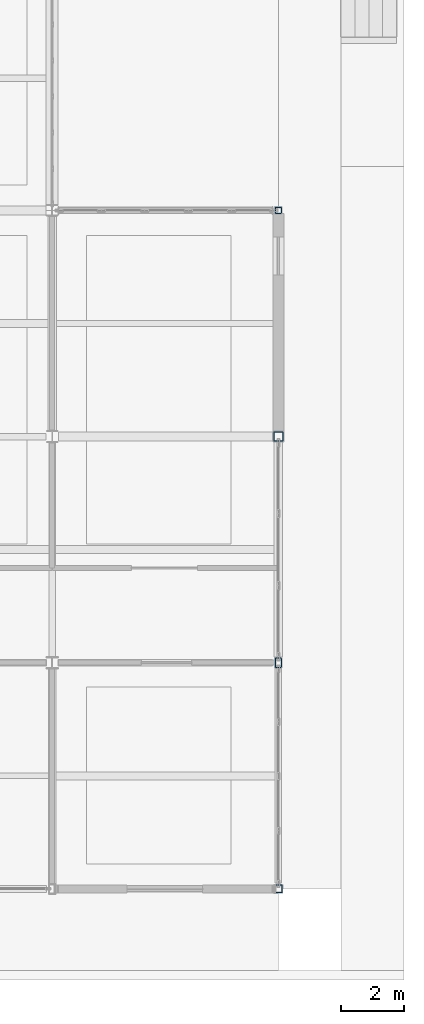
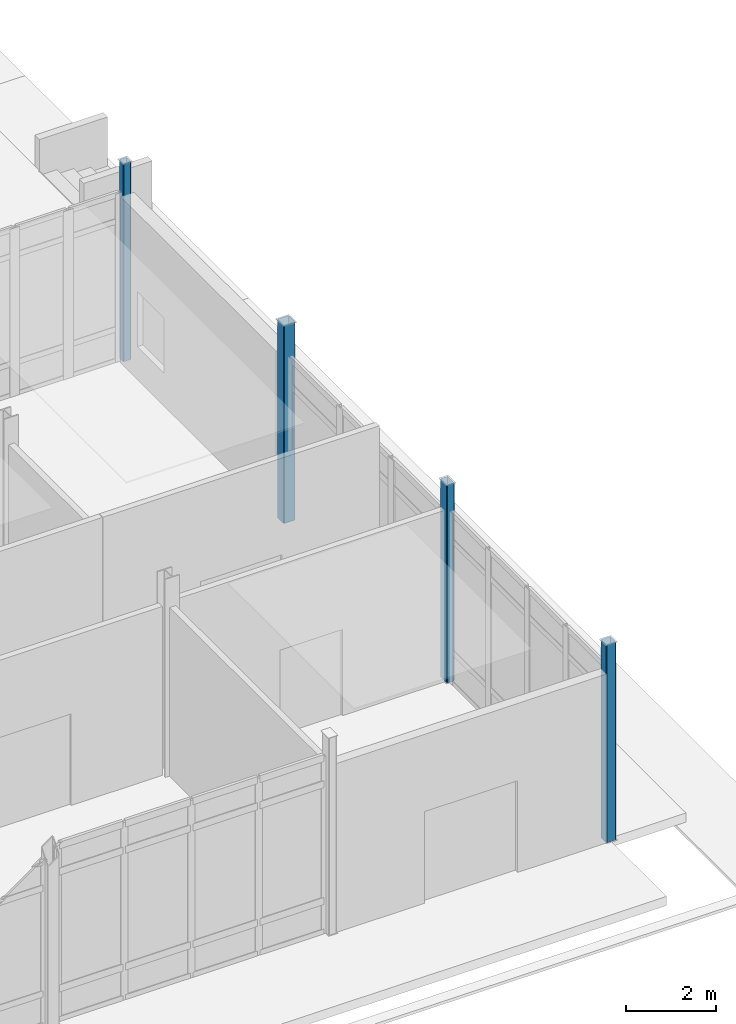
# One storey, part 20 of 229: 4 columns.
"""IFC4 building model written with IfcOpenShell, lengths in metres."""

import ifcopenshell
import ifcopenshell.guid

model = None  # the IFC model being written
_history = None  # IfcOwnerHistory: only IFC2X3 demands one
_inside = {}  # id of a spatial element -> (the spatial element, [elements in it])
_under = {}  # id of a project, library or spatial element -> (it, [spatial elements below it])
_declared = {}  # id of a project -> (the project, [libraries it declares])
_typed = {}  # id of a type object -> (the type object, [elements of that type])
_made_of = {}  # id of a material, layer set ... -> (it, [elements and type objects made of it])


def new_model(schema):
    """Start an empty IFC model of exactly this schema.

    Asked for "IFC4X3", IfcOpenShell would pick the latest addendum, in which some entities
    have other attributes; the version numbers below select the first issue.
    IFC2X3 requires an IfcOwnerHistory on every rooted entity: one is made here for all.
    """
    global model, _history
    if schema == "IFC4X3":
        model = ifcopenshell.file(schema_version=(4, 3, 0, 0))
    else:
        model = ifcopenshell.file(schema=schema)
    _inside.clear()
    _under.clear()
    _declared.clear()
    _typed.clear()
    _made_of.clear()
    _history = None
    if model.schema == "IFC2X3":
        org = make("IfcOrganization", Name="unknown")
        user = make(
            "IfcPersonAndOrganization",
            ThePerson=make("IfcPerson", FamilyName="unknown"),
            TheOrganization=org,
        )
        app = make(
            "IfcApplication",
            ApplicationDeveloper=org,
            Version="unknown",
            ApplicationFullName="unknown",
            ApplicationIdentifier="unknown",
        )
        _history = make(
            "IfcOwnerHistory",
            OwningUser=user,
            OwningApplication=app,
            ChangeAction="ADDED",
            CreationDate=0,
        )
    return model


def make(cls, **values):
    """One entity of the class cls with the attributes given. An attribute that is None is left unset."""
    return model.create_entity(
        cls, **{name: value for name, value in values.items() if value is not None}
    )


def rooted(cls, **values):
    """An entity with a GlobalId (a new one), such as an element, a storey or a relation."""
    return make(cls, GlobalId=ifcopenshell.guid.new(), OwnerHistory=_history, **values)


def si_unit(unit_type, name, prefix=None):
    """IfcSIUnit, for example si_unit("LENGTHUNIT", "METRE", prefix="MILLI")."""
    return make("IfcSIUnit", UnitType=unit_type, Prefix=prefix, Name=name)


def assignment(units):
    """IfcUnitAssignment: the units of a project."""
    return None if units is None else make("IfcUnitAssignment", Units=units)


def point(xyz):
    """IfcCartesianPoint."""
    return None if xyz is None else make("IfcCartesianPoint", Coordinates=xyz)


def direction(xyz):
    """IfcDirection."""
    return None if xyz is None else make("IfcDirection", DirectionRatios=xyz)


def frame(location, z_axis=None, x_axis=None):
    """IfcAxis2Placement3D, a coordinate frame: its origin and axes. An axis left out is left unset."""
    return make(
        "IfcAxis2Placement3D",
        Location=point(location),
        Axis=direction(z_axis),
        RefDirection=direction(x_axis),
    )


def frame_2d(location, x_axis=None):
    """IfcAxis2Placement2D, a coordinate frame in the plane: its origin and x axis."""
    return make(
        "IfcAxis2Placement2D", Location=point(location), RefDirection=direction(x_axis)
    )


def origin():
    """The frame at (0, 0, 0) with its axes left unset."""
    return frame((0.0, 0.0, 0.0))


def origin_2d():
    """The frame at (0, 0) in the plane with its x axis left unset."""
    return frame_2d((0.0, 0.0))


def place(relative_to, where):
    """IfcLocalPlacement: puts the frame where relative to a parent placement (None: the world)."""
    return make(
        "IfcLocalPlacement", PlacementRelTo=relative_to, RelativePlacement=where
    )


def context(
    kind, dimensions, precision=None, world=None, true_north=None, identifier=None
):
    """IfcGeometricRepresentationContext, for example the 3D "Model" context."""
    return make(
        "IfcGeometricRepresentationContext",
        ContextIdentifier=identifier,
        ContextType=kind,
        CoordinateSpaceDimension=dimensions,
        Precision=precision,
        WorldCoordinateSystem=world,
        TrueNorth=true_north,
    )


def subcontext(parent, identifier, kind, view, scale=None):
    """IfcGeometricRepresentationSubContext, for example "Body" below "Model"."""
    return make(
        "IfcGeometricRepresentationSubContext",
        ContextIdentifier=identifier,
        ContextType=kind,
        ParentContext=parent,
        TargetScale=scale,
        TargetView=view,
    )


def project(units=None, contexts=None):
    """IfcProject with its units and contexts."""
    return rooted(
        "IfcProject",
        Name="project",
        RepresentationContexts=contexts,
        UnitsInContext=assignment(units),
    )


def spatial(cls, under=None, at=None, **own):
    """A site, building, storey or space (cls), placed at a placement, below another one or the project."""
    s = rooted(cls, ObjectPlacement=at, **own)
    if under is not None:
        _under.setdefault(under.id(), (under, []))[1].append(s)
    return s


def profile(cls, at=None, kind="AREA", **sizes):
    """A parametric profile (cls). Its sizes go by their IFC names, for example OverallWidth=200.0."""
    return make(cls, ProfileType=kind, Position=at, **sizes)


def hollow_rectangle(**sizes):
    """IfcRectangleHollowProfileDef."""
    return profile("IfcRectangleHollowProfileDef", **sizes)


def extrude(swept, where, along, depth):
    """IfcExtrudedAreaSolid: the profile swept, set in the frame where, extruded along a direction by depth."""
    return make(
        "IfcExtrudedAreaSolid",
        SweptArea=swept,
        Position=where,
        ExtrudedDirection=direction(along),
        Depth=depth,
    )


def shape(context_of_items, identifier, shape_type, items):
    """IfcShapeRepresentation: the items that make up one representation, for example the "Body"."""
    return make(
        "IfcShapeRepresentation",
        ContextOfItems=context_of_items,
        RepresentationIdentifier=identifier,
        RepresentationType=shape_type,
        Items=items,
    )


def material(Name=None, Category=None):
    """IfcMaterial."""
    return make("IfcMaterial", Name=Name, Category=Category)


def material_profile(
    of_material, cross_section, Name=None, Category=None, Priority=None
):
    """IfcMaterialProfile: a cross section and its material."""
    return make(
        "IfcMaterialProfile",
        Name=Name,
        Material=of_material,
        Profile=cross_section,
        Priority=Priority,
        Category=Category,
    )


def profile_set(profiles, Name=None, composite=None):
    """IfcMaterialProfileSet."""
    return make(
        "IfcMaterialProfileSet",
        Name=Name,
        MaterialProfiles=profiles,
        CompositeProfile=composite,
    )


def made_of(thing, what):
    """Note that an element or type object is made of a material, layer set ...; save() writes the relation."""
    if what is not None:
        _made_of.setdefault(what.id(), (what, []))[1].append(thing)
    return thing


def type_object(cls, material=None, **own):
    """A type object (cls), such as IfcWallType, which elements share."""
    return made_of(rooted(cls, **own), material)


def element(
    cls,
    number,
    at=None,
    inside=None,
    cuts=None,
    type_object=None,
    material=None,
    context=None,
    identifier="Body",
    shape_type=None,
    held_by="IfcProductDefinitionShape",
    body=None,
    shapes=None,
    **own,
):
    """One element of the class cls, such as IfcWall. Its Tag is "e" and its number.

    at: its placement. inside: the storey or other place that contains it. cuts: it is an
    opening in that element (IfcRelVoidsElement). A single representation is given by context,
    identifier, shape_type and body (its items); several are given by shapes. held_by: the class
    of the entity that holds the representations. save() writes the other relations.
    """
    e = rooted(cls, Tag="e%d" % number, ObjectPlacement=at, **own)
    if body is not None:
        shapes = [shape(context, identifier, shape_type, body)]
    if shapes is not None:
        e.Representation = make(held_by, Representations=shapes)
    if inside is not None:
        _inside.setdefault(inside.id(), (inside, []))[1].append(e)
    if cuts is not None:
        rooted(
            "IfcRelVoidsElement", RelatingBuildingElement=cuts, RelatedOpeningElement=e
        )
    if type_object is not None:
        _typed.setdefault(type_object.id(), (type_object, []))[1].append(e)
    return made_of(e, material)


def aggregate(whole, parts):
    """IfcRelAggregates: a whole, such as a stair, and the parts it consists of."""
    return rooted("IfcRelAggregates", RelatingObject=whole, RelatedObjects=parts)


def save(model, path):
    """Write the relations noted so far, then the file.

    IfcRelAggregates (storeys below a building ...), IfcRelContainedInSpatialStructure (elements
    in a storey), IfcRelDefinesByType, IfcRelAssociatesMaterial and IfcRelDeclares: one each for
    every whole, place, type object, material and project.
    """
    for whole, parts in _under.values():
        aggregate(whole, parts)
    for where, things in _inside.values():
        rooted(
            "IfcRelContainedInSpatialStructure",
            RelatedElements=things,
            RelatingStructure=where,
        )
    for kind, things in _typed.values():
        rooted("IfcRelDefinesByType", RelatedObjects=things, RelatingType=kind)
    for what, things in _made_of.values():
        rooted("IfcRelAssociatesMaterial", RelatedObjects=things, RelatingMaterial=what)
    for by, libraries in _declared.values():
        rooted("IfcRelDeclares", RelatingContext=by, RelatedDefinitions=libraries)
    model.write(path)


model = new_model("IFC4")

# Units and contexts
model_context = context("Model", 3, precision=1e-05, world=origin(), true_north=direction((0.0, 1.0)))
body_context = subcontext(model_context, "Body", "Model", "MODEL_VIEW")
ifc_project = project(units=[si_unit("LENGTHUNIT", "METRE"), si_unit("AREAUNIT", "SQUARE_METRE"), si_unit("VOLUMEUNIT", "CUBIC_METRE"), si_unit("PLANEANGLEUNIT", "RADIAN"), si_unit("MASSUNIT", "GRAM", prefix="KILO")], contexts=[model_context])

# Site, building, storey
site_placement = place(None, origin())
site = spatial("IfcSite", under=ifc_project, at=site_placement, CompositionType="ELEMENT")
building_placement = place(site_placement, origin())
building = spatial("IfcBuilding", under=site, at=building_placement, Name="Calvrana Isthmian Art Gallery", CompositionType="ELEMENT")
storey_placement = place(building_placement, origin())
storey = spatial("IfcBuildingStorey", under=building, at=storey_placement, Name="L00", CompositionType="ELEMENT", Elevation=0.0)

# Columns
ifc_material = material(Name="Steel ASTM A500 Gr C", Category="steel")
ifc_material_profile_1 = material_profile(ifc_material, hollow_rectangle(XDim=0.203125, YDim=0.203125, WallThickness=0.0126953125, OuterFilletRadius=0.02490234375, at=origin_2d()), Name="HSS203X203X12.7")
ifc_profile_set_1 = profile_set([ifc_material_profile_1], Name="Steel ASTM A500 Gr C")
column_type_1 = type_object("IfcColumnType", Name="COL-STL-HSS203X203X12.7", PredefinedType="COLUMN", material=ifc_profile_set_1)
column_1_placement = place(storey_placement, frame((163.199951171875, 21.60009765625, 0.0), z_axis=(0.0, 0.0, 1.0), x_axis=(1.0, 0.0, 0.0)))
element("IfcColumn", 1, at=column_1_placement, inside=storey, type_object=column_type_1, Name="Column 22/D L00", PredefinedType="COLUMN", context=body_context, shape_type="SweptSolid", body=[
    extrude(hollow_rectangle(XDim=0.203125, YDim=0.203125, WallThickness=0.0126953125, OuterFilletRadius=0.02490234375, at=origin_2d()), origin(), (0.0, 0.0, 1.0), 5.39990234375),
])
ifc_material_profile_2 = material_profile(ifc_material, hollow_rectangle(XDim=0.25390625, YDim=0.25390625, WallThickness=0.0126953125, OuterFilletRadius=0.02490234375, at=origin_2d()), Name="HSS254X254X12.7")
ifc_profile_set_2 = profile_set([ifc_material_profile_2], Name="Steel ASTM A500 Gr C")
column_type_2 = type_object("IfcColumnType", Name="COL-STL-HSS254X254X12.7", PredefinedType="COLUMN", material=ifc_profile_set_2)
column_2_placement = place(storey_placement, frame((163.199951171875, 0.0, 0.0), z_axis=(0.0, 0.0, 1.0), x_axis=(1.0, 0.0, 0.0)))
element("IfcColumn", 2, at=column_2_placement, inside=storey, type_object=column_type_2, Name="Column 22/A L00", PredefinedType="COLUMN", context=body_context, shape_type="SweptSolid", body=[
    extrude(hollow_rectangle(XDim=0.25390625, YDim=0.25390625, WallThickness=0.0126953125, OuterFilletRadius=0.02490234375, at=origin_2d()), origin(), (0.0, 0.0, 1.0), 5.39990234375),
])
ifc_material_profile_3 = material_profile(ifc_material, hollow_rectangle(XDim=0.203125, YDim=0.3046875, WallThickness=0.0126953125, OuterFilletRadius=0.02490234375, at=origin_2d()), Name="HSS305X203X12.7")
ifc_profile_set_3 = profile_set([ifc_material_profile_3], Name="Steel ASTM A500 Gr C")
column_type_3 = type_object("IfcColumnType", Name="COL-STL-HSS305X203X12.7", PredefinedType="COLUMN", material=ifc_profile_set_3)
column_3_placement = place(storey_placement, frame((163.199951171875, 7.199951171875, 0.0), z_axis=(0.0, 0.0, 1.0), x_axis=(1.0, 0.0, 0.0)))
element("IfcColumn", 3, at=column_3_placement, inside=storey, type_object=column_type_3, Name="Column 22/B L00", PredefinedType="COLUMN", context=body_context, shape_type="SweptSolid", body=[
    extrude(hollow_rectangle(XDim=0.203125, YDim=0.3046875, WallThickness=0.0126953125, OuterFilletRadius=0.02490234375, at=origin_2d()), origin(), (0.0, 0.0, 1.0), 5.39990234375),
])
ifc_material_profile_4 = material_profile(ifc_material, hollow_rectangle(XDim=0.3046875, YDim=0.3046875, WallThickness=0.015869140625, OuterFilletRadius=0.031982421875, at=origin_2d()), Name="HSS305X305X15.9")
ifc_profile_set_4 = profile_set([ifc_material_profile_4], Name="Steel ASTM A500 Gr C")
column_type_4 = type_object("IfcColumnType", Name="COL-STL-HSS305X305X15.9", PredefinedType="COLUMN", material=ifc_profile_set_4)
column_4_placement = place(storey_placement, frame((163.199951171875, 14.39990234375, 0.0), z_axis=(0.0, 0.0, 1.0), x_axis=(1.0, 0.0, 0.0)))
element("IfcColumn", 4, at=column_4_placement, inside=storey, type_object=column_type_4, Name="Column 22/C L00", PredefinedType="COLUMN", context=body_context, shape_type="SweptSolid", body=[
    extrude(hollow_rectangle(XDim=0.3046875, YDim=0.3046875, WallThickness=0.015869140625, OuterFilletRadius=0.031982421875, at=origin_2d()), origin(), (0.0, 0.0, 1.0), 5.39990234375),
])

save(model, "model.ifc")
